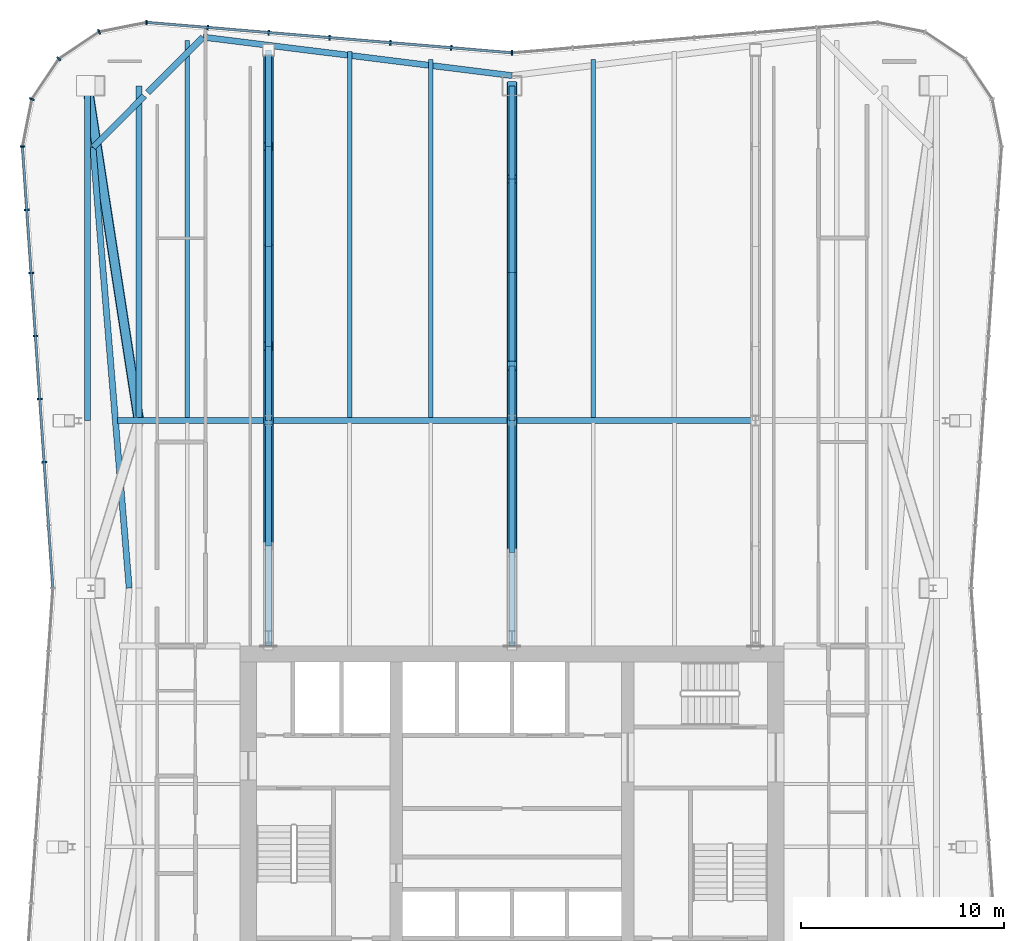
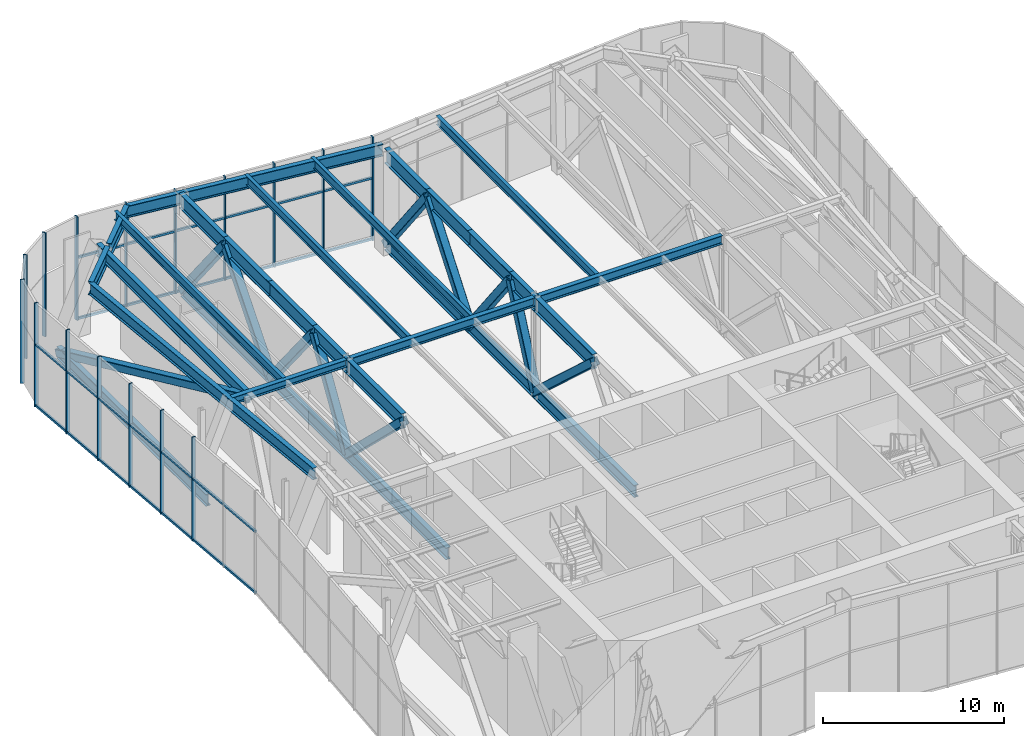
# One storey, part 8 of 17: 45 members, 11 beams, 3 elements without a shape of their own.
"""IFC4 building model written with IfcOpenShell, lengths in metres."""

from ifc_helpers import new_model, si_unit, direction, frame, origin, origin_2d, place, context, subcontext, project, spatial, rectangle, hollow_rectangle, i_section, extrude, material, material_profile, profile_set, type_object, element, aggregate, save


model = new_model("IFC4")

# Units and contexts
model_context = context("Model", 3, precision=1e-05, world=origin(), true_north=direction((0.0, 1.0)))
body_context = subcontext(model_context, "Body", "Model", "MODEL_VIEW")
ifc_project = project(units=[si_unit("LENGTHUNIT", "METRE"), si_unit("AREAUNIT", "SQUARE_METRE"), si_unit("VOLUMEUNIT", "CUBIC_METRE"), si_unit("PLANEANGLEUNIT", "RADIAN"), si_unit("MASSUNIT", "GRAM", prefix="KILO")], contexts=[model_context])

# Site, building, storey
site_placement = place(None, origin())
site = spatial("IfcSite", under=ifc_project, at=site_placement, CompositionType="ELEMENT")
building_placement = place(site_placement, origin())
building = spatial("IfcBuilding", under=site, at=building_placement, Name="Verdant Reach Tower", CompositionType="ELEMENT")
storey_placement = place(building_placement, frame((0.0, 0.0, 282.0)))
storey = spatial("IfcBuildingStorey", under=building, at=storey_placement, Name="L65 Plant", CompositionType="ELEMENT", Elevation=282.0)

# Curtain wall, members
ifc_material_1 = material(Name="Anodised aluminium", Category="aluminium")
curtain_wall_type = type_object("IfcCurtainWallType", Name="EN-CW SYSTEM PLANT", PredefinedType="NOTDEFINED", material=ifc_material_1)
curtain_wall_1_placement = place(storey_placement, origin())
curtain_wall_1 = element("IfcCurtainWall", 1, at=curtain_wall_1_placement, inside=storey, type_object=curtain_wall_type, Name="Curtain wall north, L65", PredefinedType="NOTDEFINED")
ifc_material_profile_1 = material_profile(ifc_material_1, rectangle(XDim=0.238037109375, YDim=0.080078125, at=origin_2d()), Name="Mullion 80x240")
ifc_profile_set_1 = profile_set([ifc_material_profile_1], Name="Anodised aluminium")
member_type_1 = type_object("IfcMemberType", Name="EN-MULLION PLANT", PredefinedType="MULLION", material=ifc_profile_set_1)
member_1_placement = place(storey_placement, frame((0.0, 67.618896484375, -0.35009765625), z_axis=(0.0, 0.0, 1.0), x_axis=(0.0, 1.0, 0.0)))
member_1 = element("IfcMember", 2, at=member_1_placement, type_object=member_type_1, Name="Mullion north face part 2 1, L65", PredefinedType="MULLION", context=body_context, shape_type="SweptSolid", body=[
    extrude(rectangle(XDim=0.238037109375, YDim=0.080078125, at=origin_2d()), origin(), (0.0, 0.0, 1.0), 7.0),
])
member_2_placement = place(storey_placement, frame((-2.990234375, 67.86865234375, -0.35009765625), z_axis=(0.0, 0.0, 1.0), x_axis=(0.083045479859, 0.996545758244, 0.0)))
member_2 = element("IfcMember", 3, at=member_2_placement, type_object=member_type_1, Name="Mullion north face part 2 2, L65", PredefinedType="MULLION", context=body_context, shape_type="SweptSolid", body=[
    extrude(rectangle(XDim=0.238037109375, YDim=0.080078125, at=origin_2d()), origin(), (0.0, 0.0, 1.0), 7.0),
])
member_3_placement = place(storey_placement, frame((-5.990234375, 68.11865234375, -0.35009765625), z_axis=(0.0, 0.0, 1.0), x_axis=(0.083045479859, 0.996545758244, 0.0)))
member_3 = element("IfcMember", 4, at=member_3_placement, type_object=member_type_1, Name="Mullion north face part 2 3, L65", PredefinedType="MULLION", context=body_context, shape_type="SweptSolid", body=[
    extrude(rectangle(XDim=0.238037109375, YDim=0.080078125, at=origin_2d()), origin(), (0.0, 0.0, 1.0), 7.0),
])
member_4_placement = place(storey_placement, frame((-8.990234375, 68.36865234375, -0.35009765625), z_axis=(0.0, 0.0, 1.0), x_axis=(0.083045479859, 0.996545758244, 0.0)))
member_4 = element("IfcMember", 5, at=member_4_placement, type_object=member_type_1, Name="Mullion north face part 2 4, L65", PredefinedType="MULLION", context=body_context, shape_type="SweptSolid", body=[
    extrude(rectangle(XDim=0.238037109375, YDim=0.080078125, at=origin_2d()), origin(), (0.0, 0.0, 1.0), 7.0),
])
member_5_placement = place(storey_placement, frame((-11.990234375, 68.61865234375, -0.35009765625), z_axis=(0.0, 0.0, 1.0), x_axis=(0.083045479859, 0.996545758244, 0.0)))
member_5 = element("IfcMember", 6, at=member_5_placement, type_object=member_type_1, Name="Mullion north face part 2 5, L65", PredefinedType="MULLION", context=body_context, shape_type="SweptSolid", body=[
    extrude(rectangle(XDim=0.238037109375, YDim=0.080078125, at=origin_2d()), origin(), (0.0, 0.0, 1.0), 7.0),
])
member_6_placement = place(storey_placement, frame((-14.990234375, 68.86865234375, -0.35009765625), z_axis=(0.0, 0.0, 1.0), x_axis=(0.083045479859, 0.996545758244, 0.0)))
member_6 = element("IfcMember", 7, at=member_6_placement, type_object=member_type_1, Name="Mullion north face part 2 6, L65", PredefinedType="MULLION", context=body_context, shape_type="SweptSolid", body=[
    extrude(rectangle(XDim=0.238037109375, YDim=0.080078125, at=origin_2d()), origin(), (0.0, 0.0, 1.0), 7.0),
])

curtain_wall_2_placement = place(storey_placement, origin())
curtain_wall_2 = element("IfcCurtainWall", 8, at=curtain_wall_2_placement, inside=storey, type_object=curtain_wall_type, Name="Curtain wall north-west corner, L65", PredefinedType="NOTDEFINED")
member_7_placement = place(storey_placement, frame((-18.0068359375, 69.118896484375, -0.35009765625), z_axis=(0.0, 0.0, 1.0), x_axis=(-0.056569187765, 0.998398681387, 0.0)))
member_7 = element("IfcMember", 9, at=member_7_placement, type_object=member_type_1, Name="Mullion north-west corner 1, L65", PredefinedType="MULLION", context=body_context, shape_type="SweptSolid", body=[
    extrude(rectangle(XDim=0.238037109375, YDim=0.080078125, at=origin_2d()), origin(), (0.0, 0.0, 1.0), 7.0),
])
member_8_placement = place(storey_placement, frame((-20.341552734375, 68.6533203125, -0.35009765625), z_axis=(0.0, 0.0, 1.0), x_axis=(-0.382693853776, 0.923875215753, 0.0)))
member_8 = element("IfcMember", 10, at=member_8_placement, type_object=member_type_1, Name="Mullion north-west corner 2, L65", PredefinedType="MULLION", context=body_context, shape_type="SweptSolid", body=[
    extrude(rectangle(XDim=0.238037109375, YDim=0.080078125, at=origin_2d()), origin(), (0.0, 0.0, 1.0), 7.0),
])
member_9_placement = place(storey_placement, frame((-22.32666015625, 67.32666015625, -0.35009765625), z_axis=(0.0, 0.0, 1.0), x_axis=(-0.707106781187, 0.707106781187, 0.0)))
member_9 = element("IfcMember", 11, at=member_9_placement, type_object=member_type_1, Name="Mullion north-west corner 3, L65", PredefinedType="MULLION", context=body_context, shape_type="SweptSolid", body=[
    extrude(rectangle(XDim=0.238037109375, YDim=0.080078125, at=origin_2d()), origin(), (0.0, 0.0, 1.0), 7.0),
])
member_10_placement = place(storey_placement, frame((-23.6533203125, 65.341552734375, -0.35009765625), z_axis=(0.0, 0.0, 1.0), x_axis=(-0.923875215753, 0.382693853776, 0.0)))
member_10 = element("IfcMember", 12, at=member_10_placement, type_object=member_type_1, Name="Mullion north-west corner 4, L65", PredefinedType="MULLION", context=body_context, shape_type="SweptSolid", body=[
    extrude(rectangle(XDim=0.238037109375, YDim=0.080078125, at=origin_2d()), origin(), (0.0, 0.0, 1.0), 7.0),
])
aggregate(curtain_wall_2, [member_7, member_8, member_9, member_10])

curtain_wall_3_placement = place(storey_placement, origin())
curtain_wall_3 = element("IfcCurtainWall", 13, at=curtain_wall_3_placement, inside=storey, type_object=curtain_wall_type, Name="Curtain wall west, L65", PredefinedType="NOTDEFINED")
member_11_placement = place(storey_placement, frame((-24.11865234375, 63.007568359375, -0.35009765625), z_axis=(0.0, 0.0, 1.0), x_axis=(-0.997969180898, 0.063698618332, 0.0)))
member_11 = element("IfcMember", 14, at=member_11_placement, type_object=member_type_1, Name="Mullion west face part 1 1, L65", PredefinedType="MULLION", context=body_context, shape_type="SweptSolid", body=[
    extrude(rectangle(XDim=0.238037109375, YDim=0.080078125, at=origin_2d()), origin(), (0.0, 0.0, 1.0), 7.0),
])
member_12_placement = place(storey_placement, frame((-23.904541015625, 59.884765625, -0.35009765625), z_axis=(0.0, 0.0, 1.0), x_axis=(-0.997630328423, -0.068802091615, 0.0)))
member_12 = element("IfcMember", 15, at=member_12_placement, type_object=member_type_1, Name="Mullion west face part 1 2, L65", PredefinedType="MULLION", context=body_context, shape_type="SweptSolid", body=[
    extrude(rectangle(XDim=0.238037109375, YDim=0.080078125, at=origin_2d()), origin(), (0.0, 0.0, 1.0), 7.0),
])
member_13_placement = place(storey_placement, frame((-23.690185546875, 56.777587890625, -0.35009765625), z_axis=(0.0, 0.0, 1.0), x_axis=(-0.997630328423, -0.068802091615, 0.0)))
member_13 = element("IfcMember", 16, at=member_13_placement, type_object=member_type_1, Name="Mullion west face part 1 3, L65", PredefinedType="MULLION", context=body_context, shape_type="SweptSolid", body=[
    extrude(rectangle(XDim=0.238037109375, YDim=0.080078125, at=origin_2d()), origin(), (0.0, 0.0, 1.0), 7.0),
])
member_14_placement = place(storey_placement, frame((-23.475830078125, 53.67041015625, -0.35009765625), z_axis=(0.0, 0.0, 1.0), x_axis=(-0.997630328423, -0.068802091615, 0.0)))
member_14 = element("IfcMember", 17, at=member_14_placement, type_object=member_type_1, Name="Mullion west face part 1 4, L65", PredefinedType="MULLION", context=body_context, shape_type="SweptSolid", body=[
    extrude(rectangle(XDim=0.238037109375, YDim=0.080078125, at=origin_2d()), origin(), (0.0, 0.0, 1.0), 7.0),
])
member_15_placement = place(storey_placement, frame((-23.261474609375, 50.563232421875, -0.35009765625), z_axis=(0.0, 0.0, 1.0), x_axis=(-0.997630328423, -0.068802091615, 0.0)))
member_15 = element("IfcMember", 18, at=member_15_placement, type_object=member_type_1, Name="Mullion west face part 1 5, L65", PredefinedType="MULLION", context=body_context, shape_type="SweptSolid", body=[
    extrude(rectangle(XDim=0.238037109375, YDim=0.080078125, at=origin_2d()), origin(), (0.0, 0.0, 1.0), 7.0),
])
member_16_placement = place(storey_placement, frame((-23.04736328125, 47.4560546875, -0.35009765625), z_axis=(0.0, 0.0, 1.0), x_axis=(-0.997630328423, -0.068802091615, 0.0)))
member_16 = element("IfcMember", 19, at=member_16_placement, type_object=member_type_1, Name="Mullion west face part 1 6, L65", PredefinedType="MULLION", context=body_context, shape_type="SweptSolid", body=[
    extrude(rectangle(XDim=0.238037109375, YDim=0.080078125, at=origin_2d()), origin(), (0.0, 0.0, 1.0), 7.0),
])

# Member
ifc_material_profile_2 = material_profile(ifc_material_1, rectangle(XDim=0.1201171875, YDim=0.14990234375, at=origin_2d()), Name="Transom 150x120")
ifc_profile_set_2 = profile_set([ifc_material_profile_2], Name="Anodised aluminium")
member_type_2 = type_object("IfcMemberType", Name="EN-TRANSOM PLANT", PredefinedType="USERDEFINED", material=ifc_profile_set_2)
member_17_placement = place(storey_placement, frame((-0.039794921875, 67.622314453125, -0.27490234375), z_axis=(-0.996549220477, 0.083003922598, 0.0), x_axis=(-0.083003922598, -0.996549220477, 0.0)))
member_17 = element("IfcMember", 20, at=member_17_placement, type_object=member_type_2, Name="Transom north face part 2 1.1, L65", ObjectType="TRANSOM", PredefinedType="USERDEFINED", context=body_context, shape_type="SweptSolid", body=[
    extrude(rectangle(XDim=0.1201171875, YDim=0.14990234375, at=origin_2d()), origin(), (0.0, 0.0, 1.0), 17.989013671875),
])

member_18_placement = place(storey_placement, frame((-0.039794921875, 67.622314453125, 3.85009765625), z_axis=(-0.996549220477, 0.083003922598, 0.0), x_axis=(-0.083003922598, -0.996549220477, 0.0)))
member_18 = element("IfcMember", 21, at=member_18_placement, type_object=member_type_2, Name="Transom north face part 2 1.2, L65", ObjectType="TRANSOM", PredefinedType="USERDEFINED", context=body_context, shape_type="SweptSolid", body=[
    extrude(rectangle(XDim=0.1201171875, YDim=0.14990234375, at=origin_2d()), origin(), (0.0, 0.0, 1.0), 17.989013671875),
])

aggregate(curtain_wall_1, [member_1, member_2, member_3, member_4, member_5, member_6, member_17, member_18])

member_19_placement = place(storey_placement, frame((-24.115966796875, 62.9677734375, -0.27490234375), z_axis=(0.068761218296, -0.997633146431, 0.0), x_axis=(0.997633146431, 0.068761218296, 0.0)))
member_19 = element("IfcMember", 22, at=member_19_placement, type_object=member_type_2, Name="Transom west face part 1 1.1, L65", ObjectType="TRANSOM", PredefinedType="USERDEFINED", context=body_context, shape_type="SweptSolid", body=[
    extrude(rectangle(XDim=0.1201171875, YDim=0.14990234375, at=origin_2d()), origin(), (0.0, 0.0, 1.0), 21.7294921875),
])

member_20_placement = place(storey_placement, frame((-24.115966796875, 62.9677734375, 3.85009765625), z_axis=(0.068761218296, -0.997633146431, 0.0), x_axis=(0.997633146431, 0.068761218296, 0.0)))
member_20 = element("IfcMember", 23, at=member_20_placement, type_object=member_type_2, Name="Transom west face part 1 1.2, L65", ObjectType="TRANSOM", PredefinedType="USERDEFINED", context=body_context, shape_type="SweptSolid", body=[
    extrude(rectangle(XDim=0.1201171875, YDim=0.14990234375, at=origin_2d()), origin(), (0.0, 0.0, 1.0), 21.7294921875),
])

aggregate(curtain_wall_3, [member_11, member_12, member_13, member_14, member_15, member_16, member_19, member_20])

# Beams
ifc_material_2 = material(Name="Steel S355", Category="steel")
ifc_material_profile_3 = material_profile(ifc_material_2, i_section(OverallWidth=0.300048828125, OverallDepth=0.489990234375, WebThickness=0.011962890625, FlangeThickness=0.02294921875, FilletRadius=0.027099609375, at=origin_2d()), Name="HEA 500")
ifc_profile_set_3 = profile_set([ifc_material_profile_3], Name="Steel S355")
beam_type_1 = type_object("IfcBeamType", Name="ST-BEAM-HEA500", PredefinedType="BEAM", material=ifc_profile_set_3)
beam_1_placement = place(storey_placement, frame((-19.448486328125, 49.5, 6.625), z_axis=(1.0, 0.0, 0.0), x_axis=(0.0, 1.0, 0.0)))
element("IfcBeam", 24, at=beam_1_placement, inside=storey, type_object=beam_type_1, Name="Row girder, L65 Plant", PredefinedType="BEAM", context=body_context, shape_type="SweptSolid", body=[
    extrude(i_section(OverallWidth=0.300048828125, OverallDepth=0.489990234375, WebThickness=0.011962890625, FlangeThickness=0.02294921875, FilletRadius=0.027099609375, at=origin_2d()), origin(), (0.0, 0.0, 1.0), 7.29541015625),
])
ifc_material_profile_4 = material_profile(ifc_material_2, i_section(OverallWidth=0.300048828125, OverallDepth=0.60009765625, WebThickness=0.015380859375, FlangeThickness=0.030029296875, FilletRadius=0.027099609375, at=origin_2d()), Name="HEB 600")
ifc_profile_set_4 = profile_set([ifc_material_profile_4], Name="Steel S355")
beam_type_2 = type_object("IfcBeamType", Name="ST-BEAM-HEB600", PredefinedType="BEAM", material=ifc_profile_set_4)
for number, where, z_axis, x_axis, name in (
    (25, (-11.846923828125, 49.5, 6.570068359375), (1.0, 0.0, 0.0), (0.0, 1.0, 0.0), "Row girder, L65 Plant"),
    (26, (0.153076171875, 49.5, 6.570068359375), (1.0, 0.0, 0.0), (0.0, 1.0, 0.0), "Row girder, L65 Plant"),
):
    element("IfcBeam", number, at=place(storey_placement, frame(where, z_axis=z_axis, x_axis=x_axis)), inside=storey, type_object=beam_type_2, Name=name, PredefinedType="BEAM", context=body_context, shape_type="SweptSolid", body=[
        extrude(i_section(OverallWidth=0.300048828125, OverallDepth=0.60009765625, WebThickness=0.015380859375, FlangeThickness=0.030029296875, FilletRadius=0.027099609375, at=origin_2d()), origin(), (0.0, 0.0, 1.0), 11.69384765625),
    ])
ifc_material_profile_5 = material_profile(ifc_material_2, i_section(OverallWidth=0.219970703125, OverallDepth=0.60009765625, WebThickness=0.011962890625, FlangeThickness=0.01904296875, FilletRadius=0.02392578125, at=origin_2d()), Name="IPE 600")
ifc_profile_set_5 = profile_set([ifc_material_profile_5], Name="Steel S355")
beam_type_3 = type_object("IfcBeamType", Name="ST-JOIST-IPE600", PredefinedType="JOIST", material=ifc_profile_set_5)
beam_2_placement = place(storey_placement, frame((-16.0, 49.60009765625, 6.570068359375), z_axis=(0.0, 1.0, 0.0), x_axis=(-1.0, 0.0, 0.0)))
element("IfcBeam", 27, at=beam_2_placement, inside=storey, type_object=beam_type_3, Name="Floor joist, L65 Plant", PredefinedType="JOIST", context=body_context, shape_type="SweptSolid", body=[
    extrude(i_section(OverallWidth=0.219970703125, OverallDepth=0.60009765625, WebThickness=0.011962890625, FlangeThickness=0.01904296875, FilletRadius=0.02392578125, at=origin_2d()), origin(), (0.0, 0.0, 1.0), 18.638916015625),
])
beam_3_placement = place(storey_placement, frame((-8.0, 49.60009765625, 6.570068359375), z_axis=(0.0, 1.0, 0.0), x_axis=(-1.0, 0.0, 0.0)))
element("IfcBeam", 28, at=beam_3_placement, inside=storey, type_object=beam_type_3, Name="Floor joist, L65 Plant", PredefinedType="JOIST", context=body_context, shape_type="SweptSolid", body=[
    extrude(i_section(OverallWidth=0.219970703125, OverallDepth=0.60009765625, WebThickness=0.011962890625, FlangeThickness=0.01904296875, FilletRadius=0.02392578125, at=origin_2d()), origin(), (0.0, 0.0, 1.0), 18.083984375),
])
for number, where, z_axis, x_axis, name in (
    (29, (-4.0, 49.60009765625, 6.570068359375), (0.0, 1.0, 0.0), (-1.0, 0.0, 0.0), "Floor joist, L65 Plant"),
    (30, (4.0, 49.60009765625, 6.570068359375), (0.0, 1.0, 0.0), (-1.0, 0.0, 0.0), "Floor joist, L65 Plant"),
):
    element("IfcBeam", number, at=place(storey_placement, frame(where, z_axis=z_axis, x_axis=x_axis)), inside=storey, type_object=beam_type_3, Name=name, PredefinedType="JOIST", context=body_context, shape_type="SweptSolid", body=[
        extrude(i_section(OverallWidth=0.219970703125, OverallDepth=0.60009765625, WebThickness=0.011962890625, FlangeThickness=0.01904296875, FilletRadius=0.02392578125, at=origin_2d()), origin(), (0.0, 0.0, 1.0), 17.6904296875),
    ])
ifc_material_profile_6 = material_profile(ifc_material_2, i_section(OverallWidth=0.300048828125, OverallDepth=0.800048828125, WebThickness=0.017578125, FlangeThickness=0.032958984375, FilletRadius=0.030029296875, at=origin_2d()), Name="HEB 800")
ifc_profile_set_6 = profile_set([ifc_material_profile_6], Name="Steel S355")
beam_type_4 = type_object("IfcBeamType", Name="ST-SPANDREL-HEB800", PredefinedType="SPANDREL", material=ifc_profile_set_6)
beam_4_placement = place(storey_placement, frame((-18.861083984375, 41.25, 6.469970703125), z_axis=(-0.08193431302, 0.996637731751, 0.0), x_axis=(-0.996637731751, -0.08193431302, 0.0)))
element("IfcBeam", 31, at=beam_4_placement, inside=storey, type_object=beam_type_4, Name="Edge beam, L65 Plant", PredefinedType="SPANDREL", context=body_context, shape_type="SweptSolid", body=[
    extrude(i_section(OverallWidth=0.300048828125, OverallDepth=0.800048828125, WebThickness=0.017578125, FlangeThickness=0.032958984375, FilletRadius=0.030029296875, at=origin_2d()), origin(), (0.0, 0.0, 1.0), 21.78466796875),
])
beam_5_placement = place(storey_placement, frame((-15.22021484375, 68.394287109375, 6.469970703125), z_axis=(0.992343855577, -0.123505758163, 0.0), x_axis=(0.123505758163, 0.992343855577, 0.0)))
element("IfcBeam", 32, at=beam_5_placement, inside=storey, type_object=beam_type_4, Name="Edge beam, L65 Plant", PredefinedType="SPANDREL", context=body_context, shape_type="SweptSolid", body=[
    extrude(i_section(OverallWidth=0.300048828125, OverallDepth=0.800048828125, WebThickness=0.017578125, FlangeThickness=0.032958984375, FilletRadius=0.030029296875, at=origin_2d()), origin(), (0.0, 0.0, 1.0), 15.337646484375),
])
ifc_material_profile_7 = material_profile(ifc_material_2, i_section(OverallWidth=0.302001953125, OverallDepth=0.909912109375, WebThickness=0.02099609375, FlangeThickness=0.0400390625, FilletRadius=0.030029296875, at=origin_2d()), Name="HEM 900")
ifc_profile_set_7 = profile_set([ifc_material_profile_7], Name="Steel S355")
beam_type_5 = type_object("IfcBeamType", Name="ST-SPANDREL-HEM900", PredefinedType="SPANDREL", material=ifc_profile_set_7)
beam_6_placement = place(storey_placement, frame((-20.64599609375, 62.96142578125, 6.4150390625), z_axis=(0.706664339704, 0.707548946003, 0.0), x_axis=(-0.707548946003, 0.706664339704, 0.0)))
element("IfcBeam", 33, at=beam_6_placement, inside=storey, type_object=beam_type_5, Name="Edge beam, L65 Plant", PredefinedType="SPANDREL", context=body_context, shape_type="SweptSolid", body=[
    extrude(i_section(OverallWidth=0.302001953125, OverallDepth=0.909912109375, WebThickness=0.02099609375, FlangeThickness=0.0400390625, FilletRadius=0.030029296875, at=origin_2d()), origin(), (0.0, 0.0, 1.0), 3.587890625),
])
beam_7_placement = place(storey_placement, frame((-17.938720703125, 65.672119140625, 6.4150390625), z_axis=(0.706630668602, 0.707582573409, 0.0), x_axis=(-0.707582573409, 0.706630668602, 0.0)))
element("IfcBeam", 34, at=beam_7_placement, inside=storey, type_object=beam_type_5, Name="Edge beam, L65 Plant", PredefinedType="SPANDREL", context=body_context, shape_type="SweptSolid", body=[
    extrude(i_section(OverallWidth=0.302001953125, OverallDepth=0.909912109375, WebThickness=0.02099609375, FlangeThickness=0.0400390625, FilletRadius=0.030029296875, at=origin_2d()), origin(), (0.0, 0.0, 1.0), 3.84716796875),
])

# Members
ifc_material_3 = material(Name="Steel S460", Category="steel")
ifc_material_profile_8 = material_profile(ifc_material_3, hollow_rectangle(XDim=0.5, YDim=0.5, WallThickness=0.02490234375, InnerFilletRadius=0.02490234375, OuterFilletRadius=0.050048828125, at=origin_2d()), Name="RHS 500x500x25")
ifc_profile_set_8 = profile_set([ifc_material_profile_8], Name="Steel S460")
member_type_3 = type_object("IfcMemberType", Name="ST-TRUSS-BRACE-RHS500x500x25", PredefinedType="BRACE", material=ifc_profile_set_8)
member_21_placement = place(storey_placement, frame((-12.0, 43.321044921875, 6.365966796875), z_axis=(0.0, 0.719803184049, -0.694178202073), x_axis=(-1.0, 0.0, 0.0)))
element("IfcMember", 35, at=member_21_placement, inside=storey, type_object=member_type_3, Name="Belt truss C north, diagonal, L65 Plant", PredefinedType="BRACE", context=body_context, shape_type="SweptSolid", body=[
    extrude(hollow_rectangle(XDim=0.5, YDim=0.5, WallThickness=0.02490234375, InnerFilletRadius=0.02490234375, OuterFilletRadius=0.050048828125, at=origin_2d()), origin(), (0.0, 0.0, 1.0), 8.584228515625),
])
member_22_placement = place(storey_placement, frame((-12.0, 49.5, 0.406982421875), z_axis=(0.0, 0.52368452009, 0.851912274485), x_axis=(-1.0, 0.0, 0.0)))
element("IfcMember", 36, at=member_22_placement, inside=storey, type_object=member_type_3, Name="Belt truss C north, diagonal, L65 Plant", PredefinedType="BRACE", context=body_context, shape_type="SweptSolid", body=[
    extrude(hollow_rectangle(XDim=0.5, YDim=0.5, WallThickness=0.02490234375, InnerFilletRadius=0.02490234375, OuterFilletRadius=0.050048828125, at=origin_2d()), origin(), (0.0, 0.0, 1.0), 6.994873046875),
])
member_23_placement = place(storey_placement, frame((-12.0, 53.1630859375, 6.365966796875), z_axis=(0.0, 0.627600316274, -0.778535704392), x_axis=(-1.0, 0.0, 0.0)))
element("IfcMember", 37, at=member_23_placement, inside=storey, type_object=member_type_3, Name="Belt truss C north, diagonal, L65 Plant", PredefinedType="BRACE", context=body_context, shape_type="SweptSolid", body=[
    extrude(hollow_rectangle(XDim=0.5, YDim=0.5, WallThickness=0.02490234375, InnerFilletRadius=0.02490234375, OuterFilletRadius=0.050048828125, at=origin_2d()), origin(), (0.0, 0.0, 1.0), 7.654052734375),
])
member_24_placement = place(storey_placement, frame((-12.0, 57.966796875, 0.406982421875), z_axis=(0.0, 0.645670124482, 0.763616455003), x_axis=(-1.0, 0.0, 0.0)))
element("IfcMember", 38, at=member_24_placement, inside=storey, type_object=member_type_3, Name="Belt truss C north, diagonal, L65 Plant", PredefinedType="BRACE", context=body_context, shape_type="SweptSolid", body=[
    extrude(hollow_rectangle(XDim=0.5, YDim=0.5, WallThickness=0.02490234375, InnerFilletRadius=0.02490234375, OuterFilletRadius=0.050048828125, at=origin_2d()), origin(), (0.0, 0.0, 1.0), 7.8037109375),
])
member_25_placement = place(storey_placement, frame((-12.0, 63.00537109375, 6.365966796875), z_axis=(0.0, 0.622907167699, -0.782295762758), x_axis=(-1.0, 0.0, 0.0)))
element("IfcMember", 39, at=member_25_placement, inside=storey, type_object=member_type_3, Name="Belt truss C north, diagonal, L65 Plant", PredefinedType="BRACE", context=body_context, shape_type="SweptSolid", body=[
    extrude(hollow_rectangle(XDim=0.5, YDim=0.5, WallThickness=0.02490234375, InnerFilletRadius=0.02490234375, OuterFilletRadius=0.050048828125, at=origin_2d()), origin(), (0.0, 0.0, 1.0), 7.6171875),
])
member_26_placement = place(storey_placement, frame((0.0, 43.0, 6.365966796875), z_axis=(0.0, 0.737117363479, -0.675764746386), x_axis=(-1.0, 0.0, 0.0)))
element("IfcMember", 40, at=member_26_placement, inside=storey, type_object=member_type_3, Name="Belt truss D north, diagonal, L65 Plant", PredefinedType="BRACE", context=body_context, shape_type="SweptSolid", body=[
    extrude(hollow_rectangle(XDim=0.5, YDim=0.5, WallThickness=0.02490234375, InnerFilletRadius=0.02490234375, OuterFilletRadius=0.050048828125, at=origin_2d()), origin(), (0.0, 0.0, 1.0), 8.818115234375),
])
member_27_placement = place(storey_placement, frame((0.0, 49.5, 0.406982421875), z_axis=(0.0, 0.412703285808, 0.910865521295), x_axis=(-1.0, 0.0, 0.0)))
element("IfcMember", 41, at=member_27_placement, inside=storey, type_object=member_type_3, Name="Belt truss D north, diagonal, L65 Plant", PredefinedType="BRACE", context=body_context, shape_type="SweptSolid", body=[
    extrude(hollow_rectangle(XDim=0.5, YDim=0.5, WallThickness=0.02490234375, InnerFilletRadius=0.02490234375, OuterFilletRadius=0.050048828125, at=origin_2d()), origin(), (0.0, 0.0, 1.0), 6.5419921875),
])
member_28_placement = place(storey_placement, frame((0.0, 52.199951171875, 6.365966796875), z_axis=(0.0, 0.611067151467, -0.791578761968), x_axis=(-1.0, 0.0, 0.0)))
element("IfcMember", 42, at=member_28_placement, inside=storey, type_object=member_type_3, Name="Belt truss D north, diagonal, L65 Plant", PredefinedType="BRACE", context=body_context, shape_type="SweptSolid", body=[
    extrude(hollow_rectangle(XDim=0.5, YDim=0.5, WallThickness=0.02490234375, InnerFilletRadius=0.02490234375, OuterFilletRadius=0.050048828125, at=origin_2d()), origin(), (0.0, 0.0, 1.0), 7.528076171875),
])
member_29_placement = place(storey_placement, frame((0.0, 56.800048828125, 0.406982421875), z_axis=(0.0, 0.611046829622, 0.791594449203), x_axis=(-1.0, 0.0, 0.0)))
element("IfcMember", 43, at=member_29_placement, inside=storey, type_object=member_type_3, Name="Belt truss D north, diagonal, L65 Plant", PredefinedType="BRACE", context=body_context, shape_type="SweptSolid", body=[
    extrude(hollow_rectangle(XDim=0.5, YDim=0.5, WallThickness=0.02490234375, InnerFilletRadius=0.02490234375, OuterFilletRadius=0.050048828125, at=origin_2d()), origin(), (0.0, 0.0, 1.0), 7.52783203125),
])
member_30_placement = place(storey_placement, frame((0.0, 61.39990234375, 6.365966796875), z_axis=(0.0, 0.611067151467, -0.791578761968), x_axis=(-1.0, 0.0, 0.0)))
element("IfcMember", 44, at=member_30_placement, inside=storey, type_object=member_type_3, Name="Belt truss D north, diagonal, L65 Plant", PredefinedType="BRACE", context=body_context, shape_type="SweptSolid", body=[
    extrude(hollow_rectangle(XDim=0.5, YDim=0.5, WallThickness=0.02490234375, InnerFilletRadius=0.02490234375, OuterFilletRadius=0.050048828125, at=origin_2d()), origin(), (0.0, 0.0, 1.0), 7.528076171875),
])
member_31_placement = place(storey_placement, frame((-18.3818359375, 49.5, 6.462890625), z_axis=(-0.143070088636, 0.929110105735, -0.341006394602), x_axis=(-0.988350893535, -0.152192349506, 0.0)))
element("IfcMember", 45, at=member_31_placement, inside=storey, type_object=member_type_3, Name="Belt truss B west, diagonal, L65 Plant", PredefinedType="BRACE", context=body_context, shape_type="SweptSolid", body=[
    extrude(hollow_rectangle(XDim=0.5, YDim=0.5, WallThickness=0.02490234375, InnerFilletRadius=0.02490234375, OuterFilletRadius=0.050048828125, at=origin_2d()), origin(), (0.0, 0.0, 1.0), 17.759033203125),
])
ifc_material_profile_9 = material_profile(ifc_material_3, i_section(OverallWidth=0.302001953125, OverallDepth=1.008056640625, WebThickness=0.02099609375, FlangeThickness=0.0400390625, FilletRadius=0.030029296875, at=origin_2d()), Name="HEM 1000")
ifc_profile_set_9 = profile_set([ifc_material_profile_9], Name="Steel S460")
member_type_4 = type_object("IfcMemberType", Name="ST-TRUSS-CHORD-HEM1000", PredefinedType="CHORD", material=ifc_profile_set_9)
member_32_placement = place(storey_placement, frame((-12.0, 43.321044921875, 6.365966796875), z_axis=(0.0, 1.0, 0.0), x_axis=(-1.0, 0.0, 0.0)))
element("IfcMember", 46, at=member_32_placement, inside=storey, type_object=member_type_4, Name="Belt truss C north, top chord, L65 Plant", PredefinedType="CHORD", context=body_context, shape_type="SweptSolid", body=[
    extrude(i_section(OverallWidth=0.302001953125, OverallDepth=1.008056640625, WebThickness=0.02099609375, FlangeThickness=0.0400390625, FilletRadius=0.030029296875, at=origin_2d()), origin(), (0.0, 0.0, 1.0), 6.178955078125),
])
member_33_placement = place(storey_placement, frame((-12.0, 49.5, 6.365966796875), z_axis=(0.0, 1.0, 0.0), x_axis=(-1.0, 0.0, 0.0)))
element("IfcMember", 47, at=member_33_placement, inside=storey, type_object=member_type_4, Name="Belt truss C north, top chord, L65 Plant", PredefinedType="CHORD", context=body_context, shape_type="SweptSolid", body=[
    extrude(i_section(OverallWidth=0.302001953125, OverallDepth=1.008056640625, WebThickness=0.02099609375, FlangeThickness=0.0400390625, FilletRadius=0.030029296875, at=origin_2d()), origin(), (0.0, 0.0, 1.0), 3.6630859375),
])
for number, where, z_axis, x_axis, name in (
    (48, (-12.0, 53.1630859375, 6.365966796875), (0.0, 1.0, 0.0), (-1.0, 0.0, 0.0), "Belt truss C north, top chord, L65 Plant"),
    (49, (-12.0, 58.084228515625, 6.365966796875), (0.0, 1.0, 0.0), (-1.0, 0.0, 0.0), "Belt truss C north, top chord, L65 Plant"),
):
    element("IfcMember", number, at=place(storey_placement, frame(where, z_axis=z_axis, x_axis=x_axis)), inside=storey, type_object=member_type_4, Name=name, PredefinedType="CHORD", context=body_context, shape_type="SweptSolid", body=[
        extrude(i_section(OverallWidth=0.302001953125, OverallDepth=1.008056640625, WebThickness=0.02099609375, FlangeThickness=0.0400390625, FilletRadius=0.030029296875, at=origin_2d()), origin(), (0.0, 0.0, 1.0), 4.921142578125),
    ])
member_34_placement = place(storey_placement, frame((-12.0, 63.00537109375, 6.365966796875), z_axis=(0.0, 1.0, 0.0), x_axis=(-1.0, 0.0, 0.0)))
element("IfcMember", 50, at=member_34_placement, inside=storey, type_object=member_type_4, Name="Belt truss C north, top chord, L65 Plant", PredefinedType="CHORD", context=body_context, shape_type="SweptSolid", body=[
    extrude(i_section(OverallWidth=0.302001953125, OverallDepth=1.008056640625, WebThickness=0.02099609375, FlangeThickness=0.0400390625, FilletRadius=0.030029296875, at=origin_2d()), origin(), (0.0, 0.0, 1.0), 4.9208984375),
])
member_35_placement = place(storey_placement, frame((0.0, 43.0, 6.365966796875), z_axis=(0.0, 1.0, 0.0), x_axis=(-1.0, 0.0, 0.0)))
element("IfcMember", 51, at=member_35_placement, inside=storey, type_object=member_type_4, Name="Belt truss D north, top chord, L65 Plant", PredefinedType="CHORD", context=body_context, shape_type="SweptSolid", body=[
    extrude(i_section(OverallWidth=0.302001953125, OverallDepth=1.008056640625, WebThickness=0.02099609375, FlangeThickness=0.0400390625, FilletRadius=0.030029296875, at=origin_2d()), origin(), (0.0, 0.0, 1.0), 6.5),
])
member_36_placement = place(storey_placement, frame((0.0, 49.5, 6.365966796875), z_axis=(0.0, 1.0, 0.0), x_axis=(-1.0, 0.0, 0.0)))
element("IfcMember", 52, at=member_36_placement, inside=storey, type_object=member_type_4, Name="Belt truss D north, top chord, L65 Plant", PredefinedType="CHORD", context=body_context, shape_type="SweptSolid", body=[
    extrude(i_section(OverallWidth=0.302001953125, OverallDepth=1.008056640625, WebThickness=0.02099609375, FlangeThickness=0.0400390625, FilletRadius=0.030029296875, at=origin_2d()), origin(), (0.0, 0.0, 1.0), 2.699951171875),
])
member_37_placement = place(storey_placement, frame((0.0, 52.199951171875, 6.365966796875), z_axis=(0.0, 1.0, 0.0), x_axis=(-1.0, 0.0, 0.0)))
element("IfcMember", 53, at=member_37_placement, inside=storey, type_object=member_type_4, Name="Belt truss D north, top chord, L65 Plant", PredefinedType="CHORD", context=body_context, shape_type="SweptSolid", body=[
    extrude(i_section(OverallWidth=0.302001953125, OverallDepth=1.008056640625, WebThickness=0.02099609375, FlangeThickness=0.0400390625, FilletRadius=0.030029296875, at=origin_2d()), origin(), (0.0, 0.0, 1.0), 4.60009765625),
])
member_38_placement = place(storey_placement, frame((0.0, 56.800048828125, 6.365966796875), z_axis=(0.0, 1.0, 0.0), x_axis=(-1.0, 0.0, 0.0)))
element("IfcMember", 54, at=member_38_placement, inside=storey, type_object=member_type_4, Name="Belt truss D north, top chord, L65 Plant", PredefinedType="CHORD", context=body_context, shape_type="SweptSolid", body=[
    extrude(i_section(OverallWidth=0.302001953125, OverallDepth=1.008056640625, WebThickness=0.02099609375, FlangeThickness=0.0400390625, FilletRadius=0.030029296875, at=origin_2d()), origin(), (0.0, 0.0, 1.0), 4.599853515625),
])
member_39_placement = place(storey_placement, frame((0.0, 61.39990234375, 6.365966796875), z_axis=(0.0, 1.0, 0.0), x_axis=(-1.0, 0.0, 0.0)))
element("IfcMember", 55, at=member_39_placement, inside=storey, type_object=member_type_4, Name="Belt truss D north, top chord, L65 Plant", PredefinedType="CHORD", context=body_context, shape_type="SweptSolid", body=[
    extrude(i_section(OverallWidth=0.302001953125, OverallDepth=1.008056640625, WebThickness=0.02099609375, FlangeThickness=0.0400390625, FilletRadius=0.030029296875, at=origin_2d()), origin(), (0.0, 0.0, 1.0), 4.60009765625),
])
ifc_material_profile_10 = material_profile(ifc_material_3, i_section(OverallWidth=0.302978515625, OverallDepth=0.81396484375, WebThickness=0.02099609375, FlangeThickness=0.0400390625, FilletRadius=0.030029296875, at=origin_2d()), Name="HEM 800")
ifc_profile_set_10 = profile_set([ifc_material_profile_10], Name="Steel S460")
member_type_5 = type_object("IfcMemberType", Name="ST-TRUSS-CHORD-HEM800", PredefinedType="CHORD", material=ifc_profile_set_10)
member_40_placement = place(storey_placement, frame((-12.0, 38.39990234375, 0.406982421875), z_axis=(0.0, 1.0, 0.0), x_axis=(-1.0, 0.0, 0.0)))
element("IfcMember", 56, at=member_40_placement, inside=storey, type_object=member_type_5, Name="Belt truss C north, bottom chord, L65 Plant", PredefinedType="CHORD", context=body_context, shape_type="SweptSolid", body=[
    extrude(i_section(OverallWidth=0.302978515625, OverallDepth=0.81396484375, WebThickness=0.02099609375, FlangeThickness=0.0400390625, FilletRadius=0.030029296875, at=origin_2d()), origin(), (0.0, 0.0, 1.0), 29.350341796875),
])
member_41_placement = place(storey_placement, frame((0.0, 38.39990234375, 0.406982421875), z_axis=(0.0, 1.0, 0.0), x_axis=(-1.0, 0.0, 0.0)))
element("IfcMember", 57, at=member_41_placement, inside=storey, type_object=member_type_5, Name="Belt truss D north, bottom chord, L65 Plant", PredefinedType="CHORD", context=body_context, shape_type="SweptSolid", body=[
    extrude(i_section(OverallWidth=0.302978515625, OverallDepth=0.81396484375, WebThickness=0.02099609375, FlangeThickness=0.0400390625, FilletRadius=0.030029296875, at=origin_2d()), origin(), (0.0, 0.0, 1.0), 27.60009765625),
])
for number, where, z_axis, x_axis, name in (
    (58, (-18.3818359375, 49.5, 6.462890625), (0.0, 1.0, 0.0), (-1.0, 0.0, 0.0), "Belt truss B west, top chord, L65 Plant"),
    (59, (-20.922607421875, 49.5, 0.406982421875), (0.0, 1.0, 0.0), (-1.0, 0.0, 0.0), "Belt truss B west, bottom chord, L65 Plant"),
):
    element("IfcMember", number, at=place(storey_placement, frame(where, z_axis=z_axis, x_axis=x_axis)), inside=storey, type_object=member_type_5, Name=name, PredefinedType="CHORD", context=body_context, shape_type="SweptSolid", body=[
        extrude(i_section(OverallWidth=0.302978515625, OverallDepth=0.81396484375, WebThickness=0.02099609375, FlangeThickness=0.0400390625, FilletRadius=0.030029296875, at=origin_2d()), origin(), (0.0, 0.0, 1.0), 16.5),
    ])

save(model, "model.ifc")
